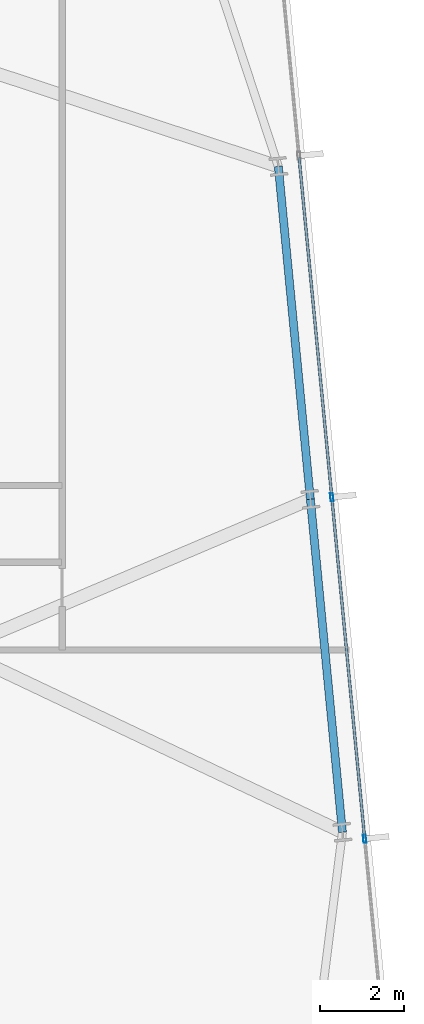
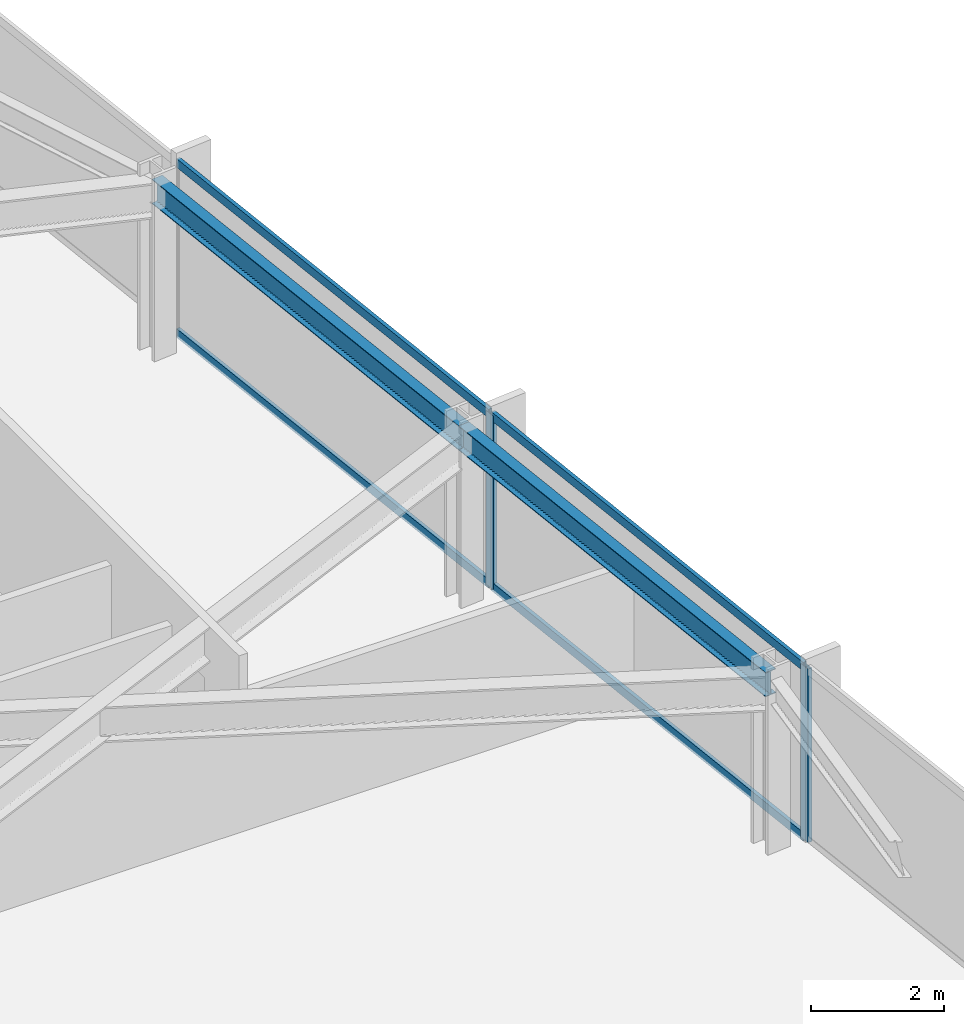
# One storey, part 16 of 32: 6 members, 2 beams, 1 element without a shape of its own.
"""IFC4 building model written with IfcOpenShell, lengths in metres."""

from ifc_helpers import new_model, si_unit, direction, frame, origin, origin_2d, place, context, subcontext, project, spatial, hollow_rectangle, i_section, extrude, material, material_profile, profile_set, type_object, element, aggregate, save


model = new_model("IFC4")

# Units and contexts
model_context = context("Model", 3, precision=1e-05, world=origin(), true_north=direction((0.0, 1.0)))
body_context = subcontext(model_context, "Body", "Model", "MODEL_VIEW")
ifc_project = project(units=[si_unit("LENGTHUNIT", "METRE"), si_unit("AREAUNIT", "SQUARE_METRE"), si_unit("VOLUMEUNIT", "CUBIC_METRE"), si_unit("PLANEANGLEUNIT", "RADIAN"), si_unit("MASSUNIT", "GRAM", prefix="KILO")], contexts=[model_context])

# Site, building, storey
site_placement = place(None, origin())
site = spatial("IfcSite", under=ifc_project, at=site_placement, CompositionType="ELEMENT")
building_placement = place(site_placement, origin())
building = spatial("IfcBuilding", under=site, at=building_placement, Name="Yelkora Congress Tower", CompositionType="ELEMENT")
storey_placement = place(building_placement, frame((0.0, 0.0, 113.5)))
storey = spatial("IfcBuildingStorey", under=building, at=storey_placement, Name="L30", CompositionType="ELEMENT", Elevation=113.5)

# Beams
ifc_material_1 = material(Name="Steel S355J2", Category="steel")
ifc_material_profile_1 = material_profile(ifc_material_1, i_section(OverallWidth=0.18994140625, OverallDepth=0.449951171875, WebThickness=0.009521484375, FlangeThickness=0.0146484375, FilletRadius=0.02099609375, at=origin_2d()), Name="IPE 450")
ifc_profile_set_1 = profile_set([ifc_material_profile_1], Name="Steel S355J2")
beam_type = type_object("IfcBeamType", Name="BM-SPAN-IPE450", PredefinedType="SPANDREL", material=ifc_profile_set_1)
beam_1_placement = place(storey_placement, frame((76.041259765625, 24.83349609375, 2.955078125), z_axis=(-0.095839787071, 0.995396772757, 0.0), x_axis=(-0.995396772757, -0.095839787071, 0.0)))
element("IfcBeam", 1, at=beam_1_placement, inside=storey, type_object=beam_type, Name="L30 Perimeter Beam 11", PredefinedType="SPANDREL", context=body_context, shape_type="SweptSolid", body=[
    extrude(i_section(OverallWidth=0.18994140625, OverallDepth=0.449951171875, WebThickness=0.009521484375, FlangeThickness=0.0146484375, FilletRadius=0.02099609375, at=origin_2d()), origin(), (0.0, 0.0, 1.0), 7.9248046875),
])
beam_2_placement = place(storey_placement, frame((75.28173828125, 32.721923828125, 2.955078125), z_axis=(-0.09583684824, 0.995397055712, 0.0), x_axis=(-0.995397055712, -0.09583684824, 0.0)))
element("IfcBeam", 2, at=beam_2_placement, inside=storey, type_object=beam_type, Name="L30 Perimeter Beam 12", PredefinedType="SPANDREL", context=body_context, shape_type="SweptSolid", body=[
    extrude(i_section(OverallWidth=0.18994140625, OverallDepth=0.449951171875, WebThickness=0.009521484375, FlangeThickness=0.0146484375, FilletRadius=0.02099609375, at=origin_2d()), origin(), (0.0, 0.0, 1.0), 7.925048828125),
])

# Curtain wall, members
ifc_material_2 = material(Name="Anodised aluminium and insulated glass", Category="aluminium")
curtain_wall_type = type_object("IfcCurtainWallType", Name="CW-SYS-B2", PredefinedType="NOTDEFINED", material=ifc_material_2)
curtain_wall_placement = place(storey_placement, origin())
curtain_wall = element("IfcCurtainWall", 3, at=curtain_wall_placement, inside=storey, type_object=curtain_wall_type, Name="L30 Unitised Curtain Wall 15", PredefinedType="NOTDEFINED")
ifc_material_3 = material(Name="Anodised aluminium 6063-T6", Category="aluminium")
ifc_material_profile_2 = material_profile(ifc_material_3, hollow_rectangle(XDim=0.070068359375, YDim=0.18994140625, WallThickness=0.00390625, at=origin_2d()), Name="ALU 70x190x4")
ifc_profile_set_2 = profile_set([ifc_material_profile_2], Name="Anodised aluminium 6063-T6")
member_type_1 = type_object("IfcMemberType", Name="MEM-ML-B2", PredefinedType="MULLION", material=ifc_profile_set_2)
member_1_placement = place(storey_placement, frame((75.789306640625, 32.770751953125, 0.0), z_axis=(0.0, 0.0, 1.0), x_axis=(0.995396507508, 0.095842541913, 0.0)))
member_1 = element("IfcMember", 4, at=member_1_placement, type_object=member_type_1, Name="CW-B2 mullion 3", PredefinedType="MULLION", context=body_context, shape_type="SweptSolid", body=[
    extrude(hollow_rectangle(XDim=0.070068359375, YDim=0.18994140625, WallThickness=0.00390625, at=origin_2d()), origin(), (0.0, 0.0, 1.0), 3.179931640625),
])
member_2_placement = place(storey_placement, frame((76.568603515625, 24.67822265625, 0.0), z_axis=(0.0, 0.0, 1.0), x_axis=(0.995396507508, 0.095842541913, 0.0)))
member_2 = element("IfcMember", 5, at=member_2_placement, type_object=member_type_1, Name="CW-B2 mullion 4", PredefinedType="MULLION", context=body_context, shape_type="SweptSolid", body=[
    extrude(hollow_rectangle(XDim=0.070068359375, YDim=0.18994140625, WallThickness=0.00390625, at=origin_2d()), origin(), (0.0, 0.0, 1.0), 3.179931640625),
])
ifc_material_profile_3 = material_profile(ifc_material_3, hollow_rectangle(XDim=0.06494140625, YDim=0.159912109375, WallThickness=0.00390625, at=origin_2d()), Name="ALU 65x160x4")
ifc_profile_set_3 = profile_set([ifc_material_profile_3], Name="Anodised aluminium 6063-T6")
member_type_2 = type_object("IfcMemberType", Name="MEM-TR-B2", PredefinedType="USERDEFINED", material=ifc_profile_set_3)
member_3_placement = place(storey_placement, frame((75.013427734375, 40.82861328125, 0.032470703125), z_axis=(0.095838228465, -0.995396922823, 0.0), x_axis=(0.995396922823, 0.095838228465, 0.0)))
member_3 = element("IfcMember", 6, at=member_3_placement, type_object=member_type_2, Name="CW-B2 transom 2.1", ObjectType="TRANSOM", PredefinedType="USERDEFINED", context=body_context, shape_type="SweptSolid", body=[
    extrude(hollow_rectangle(XDim=0.06494140625, YDim=0.159912109375, WallThickness=0.00390625, at=origin_2d()), origin(), (0.0, 0.0, 1.0), 8.06005859375),
])
member_4_placement = place(storey_placement, frame((75.013427734375, 40.82861328125, 3.1474609375), z_axis=(0.095838228465, -0.995396922823, 0.0), x_axis=(0.995396922823, 0.095838228465, 0.0)))
member_4 = element("IfcMember", 7, at=member_4_placement, type_object=member_type_2, Name="CW-B2 transom 2.2", ObjectType="TRANSOM", PredefinedType="USERDEFINED", context=body_context, shape_type="SweptSolid", body=[
    extrude(hollow_rectangle(XDim=0.06494140625, YDim=0.159912109375, WallThickness=0.00390625, at=origin_2d()), origin(), (0.0, 0.0, 1.0), 8.06005859375),
])
member_5_placement = place(storey_placement, frame((75.792724609375, 32.736083984375, 0.032470703125), z_axis=(0.095838228465, -0.995396922823, 0.0), x_axis=(0.995396922823, 0.095838228465, 0.0)))
member_5 = element("IfcMember", 8, at=member_5_placement, type_object=member_type_2, Name="CW-B2 transom 3.1", ObjectType="TRANSOM", PredefinedType="USERDEFINED", context=body_context, shape_type="SweptSolid", body=[
    extrude(hollow_rectangle(XDim=0.06494140625, YDim=0.159912109375, WallThickness=0.00390625, at=origin_2d()), origin(), (0.0, 0.0, 1.0), 8.06005859375),
])
member_6_placement = place(storey_placement, frame((75.792724609375, 32.736083984375, 3.1474609375), z_axis=(0.095838228465, -0.995396922823, 0.0), x_axis=(0.995396922823, 0.095838228465, 0.0)))
member_6 = element("IfcMember", 9, at=member_6_placement, type_object=member_type_2, Name="CW-B2 transom 3.2", ObjectType="TRANSOM", PredefinedType="USERDEFINED", context=body_context, shape_type="SweptSolid", body=[
    extrude(hollow_rectangle(XDim=0.06494140625, YDim=0.159912109375, WallThickness=0.00390625, at=origin_2d()), origin(), (0.0, 0.0, 1.0), 8.06005859375),
])
aggregate(curtain_wall, [member_1, member_2, member_3, member_4, member_5, member_6])

save(model, "model.ifc")
